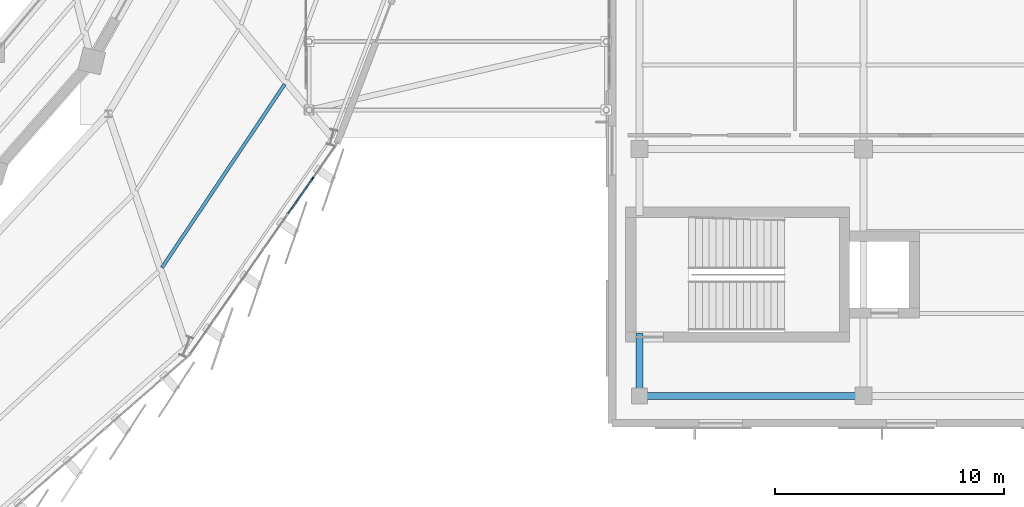
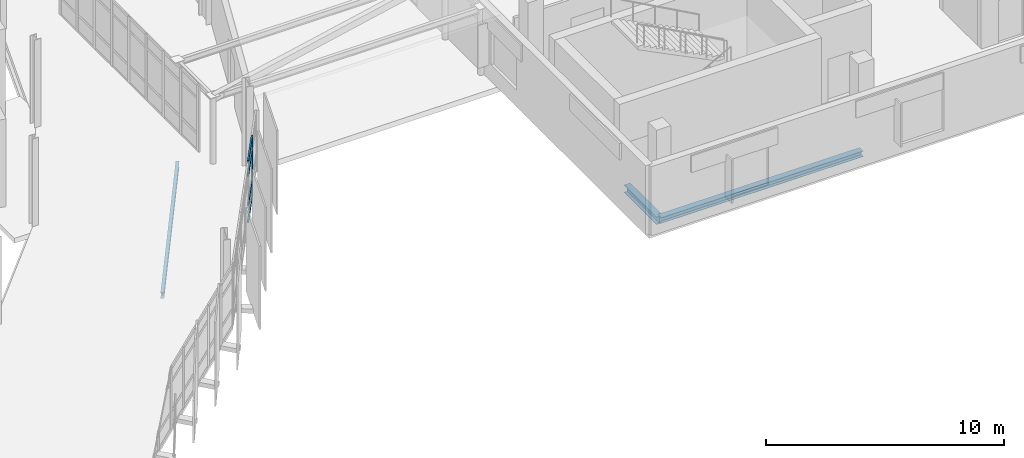
# One storey, part 67 of 125: 5 members, 3 beams, 1 element without a shape of its own.
"""IFC4 building model written with IfcOpenShell, lengths in metres."""

import ifcopenshell
import ifcopenshell.guid

model = None  # the IFC model being written
_history = None  # IfcOwnerHistory: only IFC2X3 demands one
_inside = {}  # id of a spatial element -> (the spatial element, [elements in it])
_under = {}  # id of a project, library or spatial element -> (it, [spatial elements below it])
_declared = {}  # id of a project -> (the project, [libraries it declares])
_typed = {}  # id of a type object -> (the type object, [elements of that type])
_made_of = {}  # id of a material, layer set ... -> (it, [elements and type objects made of it])


def new_model(schema):
    """Start an empty IFC model of exactly this schema.

    Asked for "IFC4X3", IfcOpenShell would pick the latest addendum, in which some entities
    have other attributes; the version numbers below select the first issue.
    IFC2X3 requires an IfcOwnerHistory on every rooted entity: one is made here for all.
    """
    global model, _history
    if schema == "IFC4X3":
        model = ifcopenshell.file(schema_version=(4, 3, 0, 0))
    else:
        model = ifcopenshell.file(schema=schema)
    _inside.clear()
    _under.clear()
    _declared.clear()
    _typed.clear()
    _made_of.clear()
    _history = None
    if model.schema == "IFC2X3":
        org = make("IfcOrganization", Name="unknown")
        user = make(
            "IfcPersonAndOrganization",
            ThePerson=make("IfcPerson", FamilyName="unknown"),
            TheOrganization=org,
        )
        app = make(
            "IfcApplication",
            ApplicationDeveloper=org,
            Version="unknown",
            ApplicationFullName="unknown",
            ApplicationIdentifier="unknown",
        )
        _history = make(
            "IfcOwnerHistory",
            OwningUser=user,
            OwningApplication=app,
            ChangeAction="ADDED",
            CreationDate=0,
        )
    return model


def make(cls, **values):
    """One entity of the class cls with the attributes given. An attribute that is None is left unset."""
    return model.create_entity(
        cls, **{name: value for name, value in values.items() if value is not None}
    )


def rooted(cls, **values):
    """An entity with a GlobalId (a new one), such as an element, a storey or a relation."""
    return make(cls, GlobalId=ifcopenshell.guid.new(), OwnerHistory=_history, **values)


def si_unit(unit_type, name, prefix=None):
    """IfcSIUnit, for example si_unit("LENGTHUNIT", "METRE", prefix="MILLI")."""
    return make("IfcSIUnit", UnitType=unit_type, Prefix=prefix, Name=name)


def assignment(units):
    """IfcUnitAssignment: the units of a project."""
    return None if units is None else make("IfcUnitAssignment", Units=units)


def point(xyz):
    """IfcCartesianPoint."""
    return None if xyz is None else make("IfcCartesianPoint", Coordinates=xyz)


def direction(xyz):
    """IfcDirection."""
    return None if xyz is None else make("IfcDirection", DirectionRatios=xyz)


def frame(location, z_axis=None, x_axis=None):
    """IfcAxis2Placement3D, a coordinate frame: its origin and axes. An axis left out is left unset."""
    return make(
        "IfcAxis2Placement3D",
        Location=point(location),
        Axis=direction(z_axis),
        RefDirection=direction(x_axis),
    )


def frame_2d(location, x_axis=None):
    """IfcAxis2Placement2D, a coordinate frame in the plane: its origin and x axis."""
    return make(
        "IfcAxis2Placement2D", Location=point(location), RefDirection=direction(x_axis)
    )


def origin():
    """The frame at (0, 0, 0) with its axes left unset."""
    return frame((0.0, 0.0, 0.0))


def origin_2d():
    """The frame at (0, 0) in the plane with its x axis left unset."""
    return frame_2d((0.0, 0.0))


def place(relative_to, where):
    """IfcLocalPlacement: puts the frame where relative to a parent placement (None: the world)."""
    return make(
        "IfcLocalPlacement", PlacementRelTo=relative_to, RelativePlacement=where
    )


def context(
    kind, dimensions, precision=None, world=None, true_north=None, identifier=None
):
    """IfcGeometricRepresentationContext, for example the 3D "Model" context."""
    return make(
        "IfcGeometricRepresentationContext",
        ContextIdentifier=identifier,
        ContextType=kind,
        CoordinateSpaceDimension=dimensions,
        Precision=precision,
        WorldCoordinateSystem=world,
        TrueNorth=true_north,
    )


def subcontext(parent, identifier, kind, view, scale=None):
    """IfcGeometricRepresentationSubContext, for example "Body" below "Model"."""
    return make(
        "IfcGeometricRepresentationSubContext",
        ContextIdentifier=identifier,
        ContextType=kind,
        ParentContext=parent,
        TargetScale=scale,
        TargetView=view,
    )


def project(units=None, contexts=None):
    """IfcProject with its units and contexts."""
    return rooted(
        "IfcProject",
        Name="project",
        RepresentationContexts=contexts,
        UnitsInContext=assignment(units),
    )


def spatial(cls, under=None, at=None, **own):
    """A site, building, storey or space (cls), placed at a placement, below another one or the project."""
    s = rooted(cls, ObjectPlacement=at, **own)
    if under is not None:
        _under.setdefault(under.id(), (under, []))[1].append(s)
    return s


def profile(cls, at=None, kind="AREA", **sizes):
    """A parametric profile (cls). Its sizes go by their IFC names, for example OverallWidth=200.0."""
    return make(cls, ProfileType=kind, Position=at, **sizes)


def rectangle(**sizes):
    """IfcRectangleProfileDef."""
    return profile("IfcRectangleProfileDef", **sizes)


def i_section(**sizes):
    """IfcIShapeProfileDef."""
    return profile("IfcIShapeProfileDef", **sizes)


def extrude(swept, where, along, depth):
    """IfcExtrudedAreaSolid: the profile swept, set in the frame where, extruded along a direction by depth."""
    return make(
        "IfcExtrudedAreaSolid",
        SweptArea=swept,
        Position=where,
        ExtrudedDirection=direction(along),
        Depth=depth,
    )


def shape(context_of_items, identifier, shape_type, items):
    """IfcShapeRepresentation: the items that make up one representation, for example the "Body"."""
    return make(
        "IfcShapeRepresentation",
        ContextOfItems=context_of_items,
        RepresentationIdentifier=identifier,
        RepresentationType=shape_type,
        Items=items,
    )


def material(Name=None, Category=None):
    """IfcMaterial."""
    return make("IfcMaterial", Name=Name, Category=Category)


def layer(
    of_material, thickness, ventilated=None, Name=None, Category=None, Priority=None
):
    """IfcMaterialLayer: one layer of a wall or slab, of a material (None: an air gap)."""
    return make(
        "IfcMaterialLayer",
        Material=of_material,
        LayerThickness=thickness,
        IsVentilated=ventilated,
        Name=Name,
        Category=Category,
        Priority=Priority,
    )


def layer_set(layers, Name=None):
    """IfcMaterialLayerSet."""
    return make("IfcMaterialLayerSet", MaterialLayers=layers, LayerSetName=Name)


def material_profile(
    of_material, cross_section, Name=None, Category=None, Priority=None
):
    """IfcMaterialProfile: a cross section and its material."""
    return make(
        "IfcMaterialProfile",
        Name=Name,
        Material=of_material,
        Profile=cross_section,
        Priority=Priority,
        Category=Category,
    )


def profile_set(profiles, Name=None, composite=None):
    """IfcMaterialProfileSet."""
    return make(
        "IfcMaterialProfileSet",
        Name=Name,
        MaterialProfiles=profiles,
        CompositeProfile=composite,
    )


def made_of(thing, what):
    """Note that an element or type object is made of a material, layer set ...; save() writes the relation."""
    if what is not None:
        _made_of.setdefault(what.id(), (what, []))[1].append(thing)
    return thing


def type_object(cls, material=None, **own):
    """A type object (cls), such as IfcWallType, which elements share."""
    return made_of(rooted(cls, **own), material)


def element(
    cls,
    number,
    at=None,
    inside=None,
    cuts=None,
    type_object=None,
    material=None,
    context=None,
    identifier="Body",
    shape_type=None,
    held_by="IfcProductDefinitionShape",
    body=None,
    shapes=None,
    **own,
):
    """One element of the class cls, such as IfcWall. Its Tag is "e" and its number.

    at: its placement. inside: the storey or other place that contains it. cuts: it is an
    opening in that element (IfcRelVoidsElement). A single representation is given by context,
    identifier, shape_type and body (its items); several are given by shapes. held_by: the class
    of the entity that holds the representations. save() writes the other relations.
    """
    e = rooted(cls, Tag="e%d" % number, ObjectPlacement=at, **own)
    if body is not None:
        shapes = [shape(context, identifier, shape_type, body)]
    if shapes is not None:
        e.Representation = make(held_by, Representations=shapes)
    if inside is not None:
        _inside.setdefault(inside.id(), (inside, []))[1].append(e)
    if cuts is not None:
        rooted(
            "IfcRelVoidsElement", RelatingBuildingElement=cuts, RelatedOpeningElement=e
        )
    if type_object is not None:
        _typed.setdefault(type_object.id(), (type_object, []))[1].append(e)
    return made_of(e, material)


def aggregate(whole, parts):
    """IfcRelAggregates: a whole, such as a stair, and the parts it consists of."""
    return rooted("IfcRelAggregates", RelatingObject=whole, RelatedObjects=parts)


def save(model, path):
    """Write the relations noted so far, then the file.

    IfcRelAggregates (storeys below a building ...), IfcRelContainedInSpatialStructure (elements
    in a storey), IfcRelDefinesByType, IfcRelAssociatesMaterial and IfcRelDeclares: one each for
    every whole, place, type object, material and project.
    """
    for whole, parts in _under.values():
        aggregate(whole, parts)
    for where, things in _inside.values():
        rooted(
            "IfcRelContainedInSpatialStructure",
            RelatedElements=things,
            RelatingStructure=where,
        )
    for kind, things in _typed.values():
        rooted("IfcRelDefinesByType", RelatedObjects=things, RelatingType=kind)
    for what, things in _made_of.values():
        rooted("IfcRelAssociatesMaterial", RelatedObjects=things, RelatingMaterial=what)
    for by, libraries in _declared.values():
        rooted("IfcRelDeclares", RelatingContext=by, RelatedDefinitions=libraries)
    model.write(path)


model = new_model("IFC4")

# Units and contexts
model_context = context("Model", 3, precision=1e-05, world=origin(), true_north=direction((0.0, 1.0)))
body_context = subcontext(model_context, "Body", "Model", "MODEL_VIEW")
ifc_project = project(units=[si_unit("LENGTHUNIT", "METRE"), si_unit("AREAUNIT", "SQUARE_METRE"), si_unit("VOLUMEUNIT", "CUBIC_METRE"), si_unit("PLANEANGLEUNIT", "RADIAN"), si_unit("MASSUNIT", "GRAM", prefix="KILO")], contexts=[model_context])

# Site, building, storey
site_placement = place(None, origin())
site = spatial("IfcSite", under=ifc_project, at=site_placement, CompositionType="ELEMENT")
building_placement = place(site_placement, origin())
building = spatial("IfcBuilding", under=site, at=building_placement, Name="Sohan Crest Arena", CompositionType="ELEMENT")
storey_placement = place(building_placement, frame((0.0, 0.0, 9.0)))
storey = spatial("IfcBuildingStorey", under=building, at=storey_placement, Name="L02", CompositionType="ELEMENT", Elevation=9.0)

# Curtain wall, members
ifc_material_1 = material(Name="Thermally broken anodised aluminium", Category="aluminium")
ifc_layer = layer(ifc_material_1, 0.219970703125, Name="Thermally broken anodised aluminium")
ifc_layer_set = layer_set([ifc_layer], Name="Thermally broken anodised aluminium")
curtain_wall_type = type_object("IfcCurtainWallType", Name="ARC-CW03", PredefinedType="NOTDEFINED", material=ifc_layer_set)
curtain_wall_placement = place(storey_placement, origin())
curtain_wall = element("IfcCurtainWall", 1, at=curtain_wall_placement, inside=storey, type_object=curtain_wall_type, Name="Unitised curtain wall CW-068", PredefinedType="NOTDEFINED")
ifc_material_profile_1 = material_profile(ifc_material_1, rectangle(XDim=0.06005859375, YDim=0.159912109375, at=origin_2d()), Name="ALU-MULL 60x160")
ifc_profile_set_1 = profile_set([ifc_material_profile_1], Name="Thermally broken anodised aluminium")
member_type_1 = type_object("IfcMemberType", Name="ARC-CW-ML01", PredefinedType="MULLION", material=ifc_profile_set_1)
member_1_placement = place(storey_placement, frame((181.8984375, 54.6953125, 0.0), z_axis=(0.0, 0.0, 1.0), x_axis=(-0.819954947639, 0.572428059971, 0.0)))
member_1 = element("IfcMember", 2, at=member_1_placement, type_object=member_type_1, Name="CW-068 mullion 6", PredefinedType="MULLION", context=body_context, shape_type="SweptSolid", body=[
    extrude(rectangle(XDim=0.06005859375, YDim=0.159912109375, at=origin_2d()), origin(), (0.0, 0.0, 1.0), 3.1201171875),
])
ifc_material_profile_2 = material_profile(ifc_material_1, rectangle(XDim=0.070068359375, YDim=0.14990234375, at=origin_2d()), Name="ALU-TRAN 70x150")
ifc_profile_set_2 = profile_set([ifc_material_profile_2], Name="Thermally broken anodised aluminium")
member_type_2 = type_object("IfcMemberType", Name="ARC-CW-TR03", PredefinedType="USERDEFINED", material=ifc_profile_set_2)
member_2_placement = place(storey_placement, frame((180.837890625, 53.17626953125, 0.034912109375), z_axis=(0.572409973001, 0.819967574243, 0.0), x_axis=(-0.819967574243, 0.572409973001, 0.0)))
member_2 = element("IfcMember", 3, at=member_2_placement, type_object=member_type_2, Name="CW-068 transom 5.1", ObjectType="TRANSOM", PredefinedType="USERDEFINED", context=body_context, shape_type="SweptSolid", body=[
    extrude(rectangle(XDim=0.070068359375, YDim=0.14990234375, at=origin_2d()), origin(), (0.0, 0.0, 1.0), 1.822509765625),
])
member_3_placement = place(storey_placement, frame((180.837890625, 53.17626953125, 0.89990234375), z_axis=(0.572409973001, 0.819967574243, 0.0), x_axis=(-0.819967574243, 0.572409973001, 0.0)))
member_3 = element("IfcMember", 4, at=member_3_placement, type_object=member_type_2, Name="CW-068 transom 5.2", ObjectType="TRANSOM", PredefinedType="USERDEFINED", context=body_context, shape_type="SweptSolid", body=[
    extrude(rectangle(XDim=0.070068359375, YDim=0.14990234375, at=origin_2d()), origin(), (0.0, 0.0, 1.0), 1.822509765625),
])
member_4_placement = place(storey_placement, frame((180.837890625, 53.17626953125, 2.419921875), z_axis=(0.572409973001, 0.819967574243, 0.0), x_axis=(-0.819967574243, 0.572409973001, 0.0)))
member_4 = element("IfcMember", 5, at=member_4_placement, type_object=member_type_2, Name="CW-068 transom 5.3", ObjectType="TRANSOM", PredefinedType="USERDEFINED", context=body_context, shape_type="SweptSolid", body=[
    extrude(rectangle(XDim=0.070068359375, YDim=0.14990234375, at=origin_2d()), origin(), (0.0, 0.0, 1.0), 1.822509765625),
])
member_5_placement = place(storey_placement, frame((180.837890625, 53.17626953125, 3.0849609375), z_axis=(0.572409973001, 0.819967574243, 0.0), x_axis=(-0.819967574243, 0.572409973001, 0.0)))
member_5 = element("IfcMember", 6, at=member_5_placement, type_object=member_type_2, Name="CW-068 transom 5.4", ObjectType="TRANSOM", PredefinedType="USERDEFINED", context=body_context, shape_type="SweptSolid", body=[
    extrude(rectangle(XDim=0.070068359375, YDim=0.14990234375, at=origin_2d()), origin(), (0.0, 0.0, 1.0), 1.822509765625),
])
aggregate(curtain_wall, [member_1, member_2, member_3, member_4, member_5])

# Beams
ifc_material_2 = material(Name="Steel S355", Category="steel")
ifc_material_profile_3 = material_profile(ifc_material_2, i_section(OverallWidth=0.14990234375, OverallDepth=0.300048828125, WebThickness=0.007080078125, FlangeThickness=0.0107421875, at=origin_2d()), Name="IPE 300")
ifc_profile_set_3 = profile_set([ifc_material_profile_3], Name="Steel S355")
beam_type_1 = type_object("IfcBeamType", Name="STR-BM-B01", PredefinedType="JOIST", material=ifc_profile_set_3)
beam_1_placement = place(storey_placement, frame((175.31494140625, 50.80908203125, -0.39990234375), z_axis=(0.556006645923, 0.831177844802, 0.0), x_axis=(-0.831177844802, 0.556006645923, 0.0)))
element("IfcBeam", 7, at=beam_1_placement, inside=storey, type_object=beam_type_1, Name="Structural beam J-L02-1335", PredefinedType="JOIST", context=body_context, shape_type="SweptSolid", body=[
    extrude(i_section(OverallWidth=0.14990234375, OverallDepth=0.300048828125, WebThickness=0.007080078125, FlangeThickness=0.0107421875, at=origin_2d()), origin(), (0.0, 0.0, 1.0), 9.65478515625),
])
ifc_material_profile_4 = material_profile(ifc_material_2, i_section(OverallWidth=0.300048828125, OverallDepth=0.2900390625, WebThickness=0.008544921875, FlangeThickness=0.013916015625, at=origin_2d()), Name="HEA 300")
ifc_profile_set_4 = profile_set([ifc_material_profile_4], Name="Steel S355")
beam_type_2 = type_object("IfcBeamType", Name="STR-BM-B08", PredefinedType="BEAM", material=ifc_profile_set_4)
beam_2_placement = place(storey_placement, frame((196.199951171875, 45.199951171875, -0.375), z_axis=(1.0, 0.0, 0.0), x_axis=(0.0, 1.0, 0.0)))
element("IfcBeam", 8, at=beam_2_placement, inside=storey, type_object=beam_type_2, Name="Structural beam G-L02-2318", PredefinedType="BEAM", context=body_context, shape_type="SweptSolid", body=[
    extrude(i_section(OverallWidth=0.300048828125, OverallDepth=0.2900390625, WebThickness=0.008544921875, FlangeThickness=0.013916015625, at=origin_2d()), origin(), (0.0, 0.0, 1.0), 9.800048828125),
])
ifc_material_profile_5 = material_profile(ifc_material_2, i_section(OverallWidth=0.300048828125, OverallDepth=0.389892578125, WebThickness=0.010986328125, FlangeThickness=0.01904296875, at=origin_2d()), Name="HEA 400")
ifc_profile_set_5 = profile_set([ifc_material_profile_5], Name="Steel S355")
beam_type_3 = type_object("IfcBeamType", Name="STR-BM-B09", PredefinedType="BEAM", material=ifc_profile_set_5)
beam_3_placement = place(storey_placement, frame((196.199951171875, 45.199951171875, -0.425048828125), z_axis=(0.0, 1.0, 0.0), x_axis=(-1.0, 0.0, 0.0)))
element("IfcBeam", 9, at=beam_3_placement, inside=storey, type_object=beam_type_3, Name="Structural beam G-L02-2304", PredefinedType="BEAM", context=body_context, shape_type="SweptSolid", body=[
    extrude(i_section(OverallWidth=0.300048828125, OverallDepth=0.389892578125, WebThickness=0.010986328125, FlangeThickness=0.01904296875, at=origin_2d()), origin(), (0.0, 0.0, 1.0), 2.719970703125),
])

save(model, "model.ifc")
